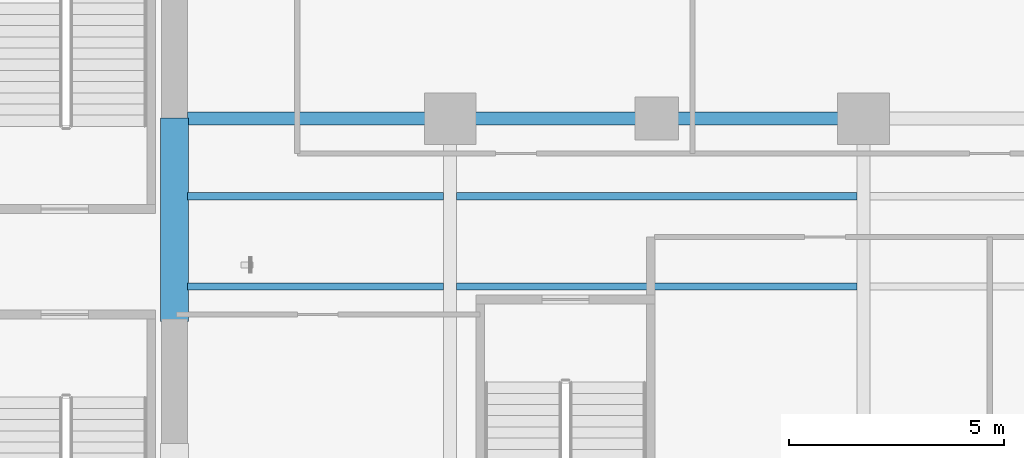
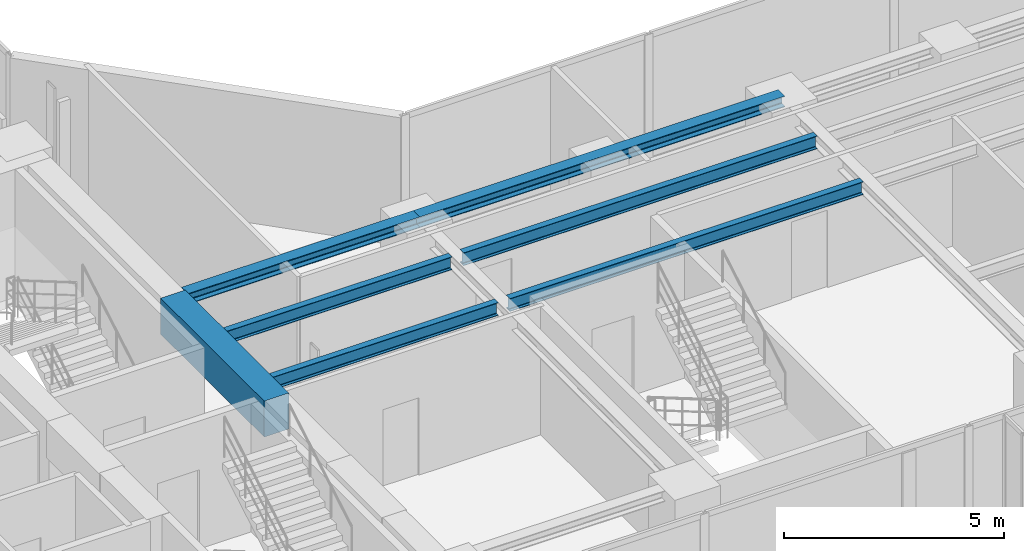
# One storey, part 6 of 27: 7 beams.
"""IFC4 building model written with IfcOpenShell, lengths in metres."""

from ifc_helpers import new_model, si_unit, direction, frame, origin, origin_2d, place, context, subcontext, project, spatial, rectangle, i_section, extrude, material, material_profile, profile_set, type_object, element, save


model = new_model("IFC4")

# Units and contexts
model_context = context("Model", 3, precision=1e-05, world=origin(), true_north=direction((0.0, 1.0)))
body_context = subcontext(model_context, "Body", "Model", "MODEL_VIEW")
ifc_project = project(units=[si_unit("LENGTHUNIT", "METRE"), si_unit("AREAUNIT", "SQUARE_METRE"), si_unit("VOLUMEUNIT", "CUBIC_METRE"), si_unit("PLANEANGLEUNIT", "RADIAN"), si_unit("MASSUNIT", "GRAM", prefix="KILO")], contexts=[model_context])

# Site, building, storey
site_placement = place(None, origin())
site = spatial("IfcSite", under=ifc_project, at=site_placement, CompositionType="ELEMENT")
building_placement = place(site_placement, origin())
building = spatial("IfcBuilding", under=site, at=building_placement, Name="Kolvaren Waterfront Exchange", CompositionType="ELEMENT")
storey_placement = place(building_placement, frame((0.0, 0.0, 191.800048828125)))
storey = spatial("IfcBuildingStorey", under=building, at=storey_placement, Name="L49", CompositionType="ELEMENT", Elevation=191.800048828125)

# Beams
ifc_material_1 = material(Name="Steel S355", Category="steel")
ifc_material_profile_1 = material_profile(ifc_material_1, i_section(OverallWidth=0.300048828125, OverallDepth=0.300048828125, WebThickness=0.010986328125, FlangeThickness=0.01904296875, FilletRadius=0.027099609375, at=origin_2d()), Name="HEB300")
ifc_profile_set_1 = profile_set([ifc_material_profile_1], Name="Steel S355")
beam_type_1 = type_object("IfcBeamType", Name="STR-BM-HEB300", PredefinedType="SPANDREL", material=ifc_profile_set_1)
beam_1_placement = place(storey_placement, frame((21.10009765625, 17.39990234375, 3.409912109375), z_axis=(1.0, 0.0, 0.0), x_axis=(0.0, 1.0, 0.0)))
element("IfcBeam", 1, at=beam_1_placement, inside=storey, type_object=beam_type_1, Name="L49 east-arm spandrel N1", PredefinedType="SPANDREL", context=body_context, shape_type="SweptSolid", body=[
    extrude(i_section(OverallWidth=0.300048828125, OverallDepth=0.300048828125, WebThickness=0.010986328125, FlangeThickness=0.01904296875, FilletRadius=0.027099609375, at=origin_2d()), origin(), (0.0, 0.0, 1.0), 6.099853515625),
])
beam_2_placement = place(storey_placement, frame((27.199951171875, 17.39990234375, 3.409912109375), z_axis=(1.0, 0.0, 0.0), x_axis=(0.0, 1.0, 0.0)))
element("IfcBeam", 2, at=beam_2_placement, inside=storey, type_object=beam_type_1, Name="L49 east-arm spandrel N2", PredefinedType="SPANDREL", context=body_context, shape_type="SweptSolid", body=[
    extrude(i_section(OverallWidth=0.300048828125, OverallDepth=0.300048828125, WebThickness=0.010986328125, FlangeThickness=0.01904296875, FilletRadius=0.027099609375, at=origin_2d()), origin(), (0.0, 0.0, 1.0), 9.60009765625),
])
ifc_material_profile_2 = material_profile(ifc_material_1, i_section(OverallWidth=0.169921875, OverallDepth=0.360107421875, WebThickness=0.008056640625, FlangeThickness=0.0126953125, FilletRadius=0.01806640625, at=origin_2d()), Name="IPE360")
ifc_profile_set_2 = profile_set([ifc_material_profile_2], Name="Steel S355")
beam_type_2 = type_object("IfcBeamType", Name="STR-BM-IPE360", PredefinedType="JOIST", material=ifc_profile_set_2)
for number, where, z_axis, x_axis, name in (
    (3, (21.10009765625, 13.5, 3.3798828125), (1.0, 0.0, 0.0), (0.0, 1.0, 0.0), "L49 east-arm composite joist 1A"),
    (4, (21.10009765625, 15.60009765625, 3.3798828125), (1.0, 0.0, 0.0), (0.0, 1.0, 0.0), "L49 east-arm composite joist 1C"),
):
    element("IfcBeam", number, at=place(storey_placement, frame(where, z_axis=z_axis, x_axis=x_axis)), inside=storey, type_object=beam_type_2, Name=name, PredefinedType="JOIST", context=body_context, shape_type="SweptSolid", body=[
        extrude(i_section(OverallWidth=0.169921875, OverallDepth=0.360107421875, WebThickness=0.008056640625, FlangeThickness=0.0126953125, FilletRadius=0.01806640625, at=origin_2d()), origin(), (0.0, 0.0, 1.0), 5.947998046875),
    ])
for number, where, z_axis, x_axis, name in (
    (5, (27.35205078125, 13.5, 3.3798828125), (1.0, 0.0, 0.0), (0.0, 1.0, 0.0), "L49 east-arm composite joist 2A"),
    (6, (27.35205078125, 15.60009765625, 3.3798828125), (1.0, 0.0, 0.0), (0.0, 1.0, 0.0), "L49 east-arm composite joist 2C"),
):
    element("IfcBeam", number, at=place(storey_placement, frame(where, z_axis=z_axis, x_axis=x_axis)), inside=storey, type_object=beam_type_2, Name=name, PredefinedType="JOIST", context=body_context, shape_type="SweptSolid", body=[
        extrude(i_section(OverallWidth=0.169921875, OverallDepth=0.360107421875, WebThickness=0.008056640625, FlangeThickness=0.0126953125, FilletRadius=0.01806640625, at=origin_2d()), origin(), (0.0, 0.0, 1.0), 9.2958984375),
    ])
ifc_material_2 = material(Name="Concrete C60/75", Category="concrete")
ifc_material_profile_3 = material_profile(ifc_material_2, rectangle(XDim=0.64990234375, YDim=1.0, at=origin_2d()), Name="RC-CB-1000x650")
ifc_profile_set_3 = profile_set([ifc_material_profile_3], Name="Concrete C60/75")
beam_type_3 = type_object("IfcBeamType", Name="STR-CB-1000", PredefinedType="SPANDREL", material=ifc_profile_set_3)
beam_3_placement = place(storey_placement, frame((20.800048828125, 12.68994140625, 3.06005859375), z_axis=(0.0, 1.0, 0.0), x_axis=(-1.0, 0.0, 0.0)))
element("IfcBeam", 7, at=beam_3_placement, inside=storey, type_object=beam_type_3, Name="L49 core coupling beam 2", PredefinedType="SPANDREL", context=body_context, shape_type="SweptSolid", body=[
    extrude(rectangle(XDim=0.64990234375, YDim=1.0, at=origin_2d()), origin(), (0.0, 0.0, 1.0), 4.719970703125),
])

save(model, "model.ifc")
